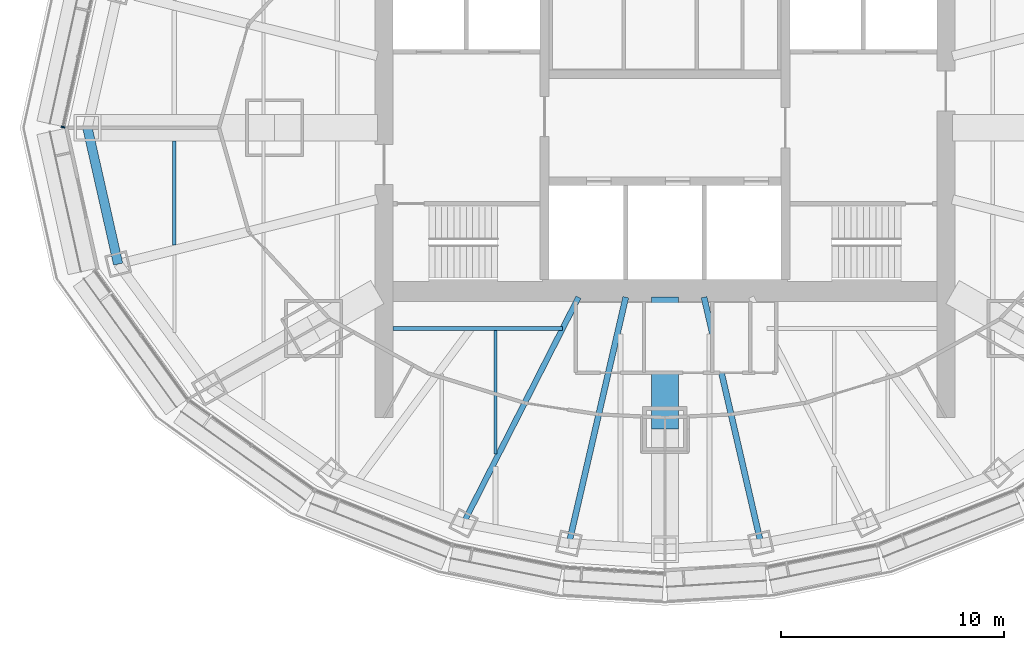
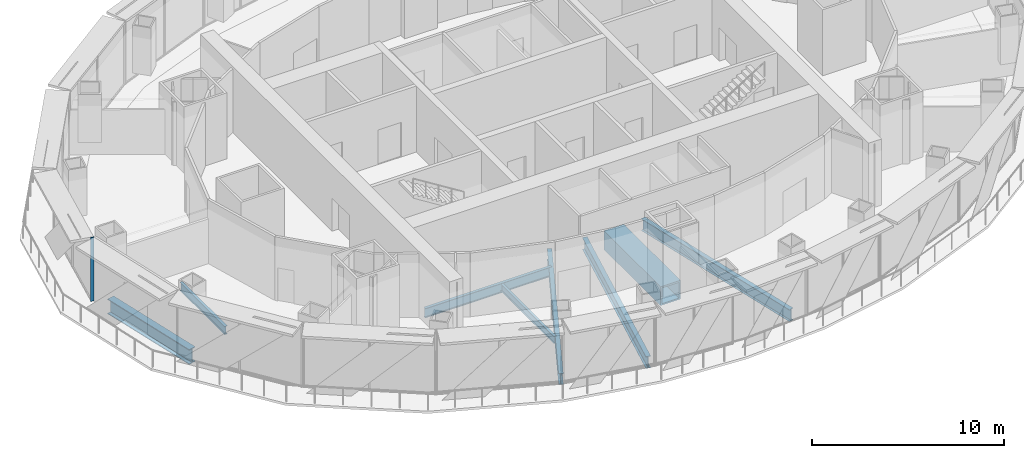
# One storey, part 3 of 17: 8 beams, 1 member, 1 element without a shape of its own.
"""IFC4 building model written with IfcOpenShell, lengths in metres."""

import ifcopenshell
import ifcopenshell.guid

model = None  # the IFC model being written
_history = None  # IfcOwnerHistory: only IFC2X3 demands one
_inside = {}  # id of a spatial element -> (the spatial element, [elements in it])
_under = {}  # id of a project, library or spatial element -> (it, [spatial elements below it])
_declared = {}  # id of a project -> (the project, [libraries it declares])
_typed = {}  # id of a type object -> (the type object, [elements of that type])
_made_of = {}  # id of a material, layer set ... -> (it, [elements and type objects made of it])


def new_model(schema):
    """Start an empty IFC model of exactly this schema.

    Asked for "IFC4X3", IfcOpenShell would pick the latest addendum, in which some entities
    have other attributes; the version numbers below select the first issue.
    IFC2X3 requires an IfcOwnerHistory on every rooted entity: one is made here for all.
    """
    global model, _history
    if schema == "IFC4X3":
        model = ifcopenshell.file(schema_version=(4, 3, 0, 0))
    else:
        model = ifcopenshell.file(schema=schema)
    _inside.clear()
    _under.clear()
    _declared.clear()
    _typed.clear()
    _made_of.clear()
    _history = None
    if model.schema == "IFC2X3":
        org = make("IfcOrganization", Name="unknown")
        user = make(
            "IfcPersonAndOrganization",
            ThePerson=make("IfcPerson", FamilyName="unknown"),
            TheOrganization=org,
        )
        app = make(
            "IfcApplication",
            ApplicationDeveloper=org,
            Version="unknown",
            ApplicationFullName="unknown",
            ApplicationIdentifier="unknown",
        )
        _history = make(
            "IfcOwnerHistory",
            OwningUser=user,
            OwningApplication=app,
            ChangeAction="ADDED",
            CreationDate=0,
        )
    return model


def make(cls, **values):
    """One entity of the class cls with the attributes given. An attribute that is None is left unset."""
    return model.create_entity(
        cls, **{name: value for name, value in values.items() if value is not None}
    )


def rooted(cls, **values):
    """An entity with a GlobalId (a new one), such as an element, a storey or a relation."""
    return make(cls, GlobalId=ifcopenshell.guid.new(), OwnerHistory=_history, **values)


def si_unit(unit_type, name, prefix=None):
    """IfcSIUnit, for example si_unit("LENGTHUNIT", "METRE", prefix="MILLI")."""
    return make("IfcSIUnit", UnitType=unit_type, Prefix=prefix, Name=name)


def assignment(units):
    """IfcUnitAssignment: the units of a project."""
    return None if units is None else make("IfcUnitAssignment", Units=units)


def point(xyz):
    """IfcCartesianPoint."""
    return None if xyz is None else make("IfcCartesianPoint", Coordinates=xyz)


def direction(xyz):
    """IfcDirection."""
    return None if xyz is None else make("IfcDirection", DirectionRatios=xyz)


def frame(location, z_axis=None, x_axis=None):
    """IfcAxis2Placement3D, a coordinate frame: its origin and axes. An axis left out is left unset."""
    return make(
        "IfcAxis2Placement3D",
        Location=point(location),
        Axis=direction(z_axis),
        RefDirection=direction(x_axis),
    )


def frame_2d(location, x_axis=None):
    """IfcAxis2Placement2D, a coordinate frame in the plane: its origin and x axis."""
    return make(
        "IfcAxis2Placement2D", Location=point(location), RefDirection=direction(x_axis)
    )


def origin():
    """The frame at (0, 0, 0) with its axes left unset."""
    return frame((0.0, 0.0, 0.0))


def origin_2d():
    """The frame at (0, 0) in the plane with its x axis left unset."""
    return frame_2d((0.0, 0.0))


def place(relative_to, where):
    """IfcLocalPlacement: puts the frame where relative to a parent placement (None: the world)."""
    return make(
        "IfcLocalPlacement", PlacementRelTo=relative_to, RelativePlacement=where
    )


def context(
    kind, dimensions, precision=None, world=None, true_north=None, identifier=None
):
    """IfcGeometricRepresentationContext, for example the 3D "Model" context."""
    return make(
        "IfcGeometricRepresentationContext",
        ContextIdentifier=identifier,
        ContextType=kind,
        CoordinateSpaceDimension=dimensions,
        Precision=precision,
        WorldCoordinateSystem=world,
        TrueNorth=true_north,
    )


def subcontext(parent, identifier, kind, view, scale=None):
    """IfcGeometricRepresentationSubContext, for example "Body" below "Model"."""
    return make(
        "IfcGeometricRepresentationSubContext",
        ContextIdentifier=identifier,
        ContextType=kind,
        ParentContext=parent,
        TargetScale=scale,
        TargetView=view,
    )


def project(units=None, contexts=None):
    """IfcProject with its units and contexts."""
    return rooted(
        "IfcProject",
        Name="project",
        RepresentationContexts=contexts,
        UnitsInContext=assignment(units),
    )


def spatial(cls, under=None, at=None, **own):
    """A site, building, storey or space (cls), placed at a placement, below another one or the project."""
    s = rooted(cls, ObjectPlacement=at, **own)
    if under is not None:
        _under.setdefault(under.id(), (under, []))[1].append(s)
    return s


def profile(cls, at=None, kind="AREA", **sizes):
    """A parametric profile (cls). Its sizes go by their IFC names, for example OverallWidth=200.0."""
    return make(cls, ProfileType=kind, Position=at, **sizes)


def rectangle(**sizes):
    """IfcRectangleProfileDef."""
    return profile("IfcRectangleProfileDef", **sizes)


def hollow_rectangle(**sizes):
    """IfcRectangleHollowProfileDef."""
    return profile("IfcRectangleHollowProfileDef", **sizes)


def i_section(**sizes):
    """IfcIShapeProfileDef."""
    return profile("IfcIShapeProfileDef", **sizes)


def extrude(swept, where, along, depth):
    """IfcExtrudedAreaSolid: the profile swept, set in the frame where, extruded along a direction by depth."""
    return make(
        "IfcExtrudedAreaSolid",
        SweptArea=swept,
        Position=where,
        ExtrudedDirection=direction(along),
        Depth=depth,
    )


def shape(context_of_items, identifier, shape_type, items):
    """IfcShapeRepresentation: the items that make up one representation, for example the "Body"."""
    return make(
        "IfcShapeRepresentation",
        ContextOfItems=context_of_items,
        RepresentationIdentifier=identifier,
        RepresentationType=shape_type,
        Items=items,
    )


def material(Name=None, Category=None):
    """IfcMaterial."""
    return make("IfcMaterial", Name=Name, Category=Category)


def material_profile(
    of_material, cross_section, Name=None, Category=None, Priority=None
):
    """IfcMaterialProfile: a cross section and its material."""
    return make(
        "IfcMaterialProfile",
        Name=Name,
        Material=of_material,
        Profile=cross_section,
        Priority=Priority,
        Category=Category,
    )


def profile_set(profiles, Name=None, composite=None):
    """IfcMaterialProfileSet."""
    return make(
        "IfcMaterialProfileSet",
        Name=Name,
        MaterialProfiles=profiles,
        CompositeProfile=composite,
    )


def made_of(thing, what):
    """Note that an element or type object is made of a material, layer set ...; save() writes the relation."""
    if what is not None:
        _made_of.setdefault(what.id(), (what, []))[1].append(thing)
    return thing


def type_object(cls, material=None, **own):
    """A type object (cls), such as IfcWallType, which elements share."""
    return made_of(rooted(cls, **own), material)


def element(
    cls,
    number,
    at=None,
    inside=None,
    cuts=None,
    type_object=None,
    material=None,
    context=None,
    identifier="Body",
    shape_type=None,
    held_by="IfcProductDefinitionShape",
    body=None,
    shapes=None,
    **own,
):
    """One element of the class cls, such as IfcWall. Its Tag is "e" and its number.

    at: its placement. inside: the storey or other place that contains it. cuts: it is an
    opening in that element (IfcRelVoidsElement). A single representation is given by context,
    identifier, shape_type and body (its items); several are given by shapes. held_by: the class
    of the entity that holds the representations. save() writes the other relations.
    """
    e = rooted(cls, Tag="e%d" % number, ObjectPlacement=at, **own)
    if body is not None:
        shapes = [shape(context, identifier, shape_type, body)]
    if shapes is not None:
        e.Representation = make(held_by, Representations=shapes)
    if inside is not None:
        _inside.setdefault(inside.id(), (inside, []))[1].append(e)
    if cuts is not None:
        rooted(
            "IfcRelVoidsElement", RelatingBuildingElement=cuts, RelatedOpeningElement=e
        )
    if type_object is not None:
        _typed.setdefault(type_object.id(), (type_object, []))[1].append(e)
    return made_of(e, material)


def aggregate(whole, parts):
    """IfcRelAggregates: a whole, such as a stair, and the parts it consists of."""
    return rooted("IfcRelAggregates", RelatingObject=whole, RelatedObjects=parts)


def save(model, path):
    """Write the relations noted so far, then the file.

    IfcRelAggregates (storeys below a building ...), IfcRelContainedInSpatialStructure (elements
    in a storey), IfcRelDefinesByType, IfcRelAssociatesMaterial and IfcRelDeclares: one each for
    every whole, place, type object, material and project.
    """
    for whole, parts in _under.values():
        aggregate(whole, parts)
    for where, things in _inside.values():
        rooted(
            "IfcRelContainedInSpatialStructure",
            RelatedElements=things,
            RelatingStructure=where,
        )
    for kind, things in _typed.values():
        rooted("IfcRelDefinesByType", RelatedObjects=things, RelatingType=kind)
    for what, things in _made_of.values():
        rooted("IfcRelAssociatesMaterial", RelatedObjects=things, RelatingMaterial=what)
    for by, libraries in _declared.values():
        rooted("IfcRelDeclares", RelatingContext=by, RelatedDefinitions=libraries)
    model.write(path)


model = new_model("IFC4")

# Units and contexts
model_context = context("Model", 3, precision=1e-05, world=origin(), true_north=direction((0.0, 1.0)))
body_context = subcontext(model_context, "Body", "Model", "MODEL_VIEW")
ifc_project = project(units=[si_unit("LENGTHUNIT", "METRE"), si_unit("AREAUNIT", "SQUARE_METRE"), si_unit("VOLUMEUNIT", "CUBIC_METRE"), si_unit("PLANEANGLEUNIT", "RADIAN"), si_unit("MASSUNIT", "GRAM", prefix="KILO")], contexts=[model_context])

# Site, building, storey
site_placement = place(None, origin())
site = spatial("IfcSite", under=ifc_project, at=site_placement, CompositionType="ELEMENT")
building_placement = place(site_placement, origin())
building = spatial("IfcBuilding", under=site, at=building_placement, Name="Lantaw Convention Tower", CompositionType="ELEMENT")
storey_placement = place(building_placement, frame((0.0, 0.0, 199.0)))
storey = spatial("IfcBuildingStorey", under=building, at=storey_placement, Name="L46", CompositionType="ELEMENT", Elevation=199.0)

# Beams
ifc_material_1 = material(Name="Steel ASTM A992", Category="steel")
ifc_material_profile_1 = material_profile(ifc_material_1, i_section(OverallWidth=0.424072265625, OverallDepth=0.947509765625, WebThickness=0.02392578125, FlangeThickness=0.042724609375, FilletRadius=0.012451171875, at=origin_2d()), Name="W36X302")
ifc_profile_set_1 = profile_set([ifc_material_profile_1], Name="Steel ASTM A992")
beam_type_1 = type_object("IfcBeamType", Name="Beam BC W36X302", PredefinedType="SPANDREL", material=ifc_profile_set_1)
beam_1_placement = place(storey_placement, frame((-25.89990234375, 0.0, -0.623779296875), z_axis=(0.219857926596, -0.97553190215, 0.0), x_axis=(0.97553190215, 0.219857926596, 0.0)))
element("IfcBeam", 1, at=beam_1_placement, inside=storey, type_object=beam_type_1, Name="Belt truss chord 13", PredefinedType="SPANDREL", context=body_context, shape_type="SweptSolid", body=[
    extrude(i_section(OverallWidth=0.424072265625, OverallDepth=0.947509765625, WebThickness=0.02392578125, FlangeThickness=0.042724609375, FilletRadius=0.012451171875, at=origin_2d()), origin(), (0.0, 0.0, 1.0), 6.267333984375),
])
ifc_material_profile_2 = material_profile(ifc_material_1, i_section(OverallWidth=0.177978515625, OverallDepth=0.599365234375, WebThickness=0.010009765625, FlangeThickness=0.012939453125, FilletRadius=0.012939453125, at=origin_2d()), Name="W24X55")
ifc_profile_set_2 = profile_set([ifc_material_profile_2], Name="Steel ASTM A992")
beam_type_2 = type_object("IfcBeamType", Name="Beam CC W24X55", PredefinedType="BEAM", material=ifc_profile_set_2)
beam_2_placement = place(storey_placement, frame((-12.199951171875, -9.0, -0.44970703125), z_axis=(1.0, 0.0, 0.0), x_axis=(0.0, 1.0, 0.0)))
element("IfcBeam", 2, at=beam_2_placement, inside=storey, type_object=beam_type_2, Name="Core collector beam on ray 16", PredefinedType="BEAM", context=body_context, shape_type="SweptSolid", body=[
    extrude(i_section(OverallWidth=0.177978515625, OverallDepth=0.599365234375, WebThickness=0.010009765625, FlangeThickness=0.012939453125, FilletRadius=0.012939453125, at=origin_2d()), origin(), (0.0, 0.0, 1.0), 7.6142578125),
])
ifc_material_profile_3 = material_profile(ifc_material_1, i_section(OverallWidth=0.25390625, OverallDepth=0.683349609375, WebThickness=0.012451171875, FlangeThickness=0.01904296875, FilletRadius=0.01513671875, at=origin_2d()), Name="W27X94")
ifc_profile_set_3 = profile_set([ifc_material_profile_3], Name="Steel ASTM A992")
beam_type_3 = type_object("IfcBeamType", Name="Beam G W27X94", PredefinedType="BEAM", material=ifc_profile_set_3)
beam_3_placement = place(storey_placement, frame((-3.872314453125, -7.60009765625, -0.49169921875), z_axis=(-0.454002651457, -0.891000332475, 0.0), x_axis=(0.891000332475, -0.454002651457, 0.0)))
element("IfcBeam", 3, at=beam_3_placement, inside=storey, type_object=beam_type_3, Name="Floor girder on ray 17", PredefinedType="BEAM", context=body_context, shape_type="SweptSolid", body=[
    extrude(i_section(OverallWidth=0.25390625, OverallDepth=0.683349609375, WebThickness=0.012451171875, FlangeThickness=0.01904296875, FilletRadius=0.01513671875, at=origin_2d()), origin(), (0.0, 0.0, 1.0), 11.370849609375),
])
ifc_material_profile_4 = material_profile(ifc_material_1, i_section(OverallWidth=0.2666015625, OverallDepth=0.7568359375, WebThickness=0.013916015625, FlangeThickness=0.019287109375, FilletRadius=0.0126953125, at=origin_2d()), Name="W30X108")
ifc_profile_set_4 = profile_set([ifc_material_profile_4], Name="Steel ASTM A992")
beam_type_4 = type_object("IfcBeamType", Name="Beam G W30X108", PredefinedType="BEAM", material=ifc_profile_set_4)
for number, where, z_axis, x_axis, name in (
    (4, (-1.754638671875, -7.60009765625, -0.528564453125), (-0.224957056402, -0.974368679081, 0.0), (0.974368679081, -0.224957056402, 0.0), "Floor girder on ray 18"),
    (5, (1.754638671875, -7.60009765625, -0.528564453125), (0.224957056402, -0.974368679081, 0.0), (0.974368679081, 0.224957056402, 0.0), "Floor girder on ray 20"),
):
    element("IfcBeam", number, at=place(storey_placement, frame(where, z_axis=z_axis, x_axis=x_axis)), inside=storey, type_object=beam_type_4, Name=name, PredefinedType="BEAM", context=body_context, shape_type="SweptSolid", body=[
        extrude(i_section(OverallWidth=0.2666015625, OverallDepth=0.7568359375, WebThickness=0.013916015625, FlangeThickness=0.019287109375, FilletRadius=0.0126953125, at=origin_2d()), origin(), (0.0, 0.0, 1.0), 11.33251953125),
    ])
ifc_material_profile_5 = material_profile(ifc_material_1, i_section(OverallWidth=0.15234375, OverallDepth=0.449462890625, WebThickness=0.007568359375, FlangeThickness=0.0107421875, FilletRadius=0.01025390625, at=origin_2d()), Name="W18X35")
ifc_profile_set_5 = profile_set([ifc_material_profile_5], Name="Steel ASTM A992")
beam_type_5 = type_object("IfcBeamType", Name="Beam J W18X35", PredefinedType="JOIST", material=ifc_profile_set_5)
beam_4_placement = place(storey_placement, frame((-7.60009765625, -14.635986328125, -0.374755859375), z_axis=(0.0, 1.0, 0.0), x_axis=(-1.0, 0.0, 0.0)))
element("IfcBeam", 6, at=beam_4_placement, inside=storey, type_object=beam_type_5, Name="Floor joist", PredefinedType="JOIST", context=body_context, shape_type="SweptSolid", body=[
    extrude(i_section(OverallWidth=0.15234375, OverallDepth=0.449462890625, WebThickness=0.007568359375, FlangeThickness=0.0107421875, FilletRadius=0.01025390625, at=origin_2d()), origin(), (0.0, 0.0, 1.0), 5.546875),
])
ifc_material_profile_6 = material_profile(ifc_material_1, i_section(OverallWidth=0.1650390625, OverallDepth=0.52587890625, WebThickness=0.0087890625, FlangeThickness=0.011474609375, FilletRadius=0.0126953125, at=origin_2d()), Name="W21X44")
ifc_profile_set_6 = profile_set([ifc_material_profile_6], Name="Steel ASTM A992")
beam_type_6 = type_object("IfcBeamType", Name="Beam J W21X44", PredefinedType="JOIST", material=ifc_profile_set_6)
beam_5_placement = place(storey_placement, frame((-22.0, -5.267822265625, -0.412841796875), z_axis=(0.0, 1.0, 0.0), x_axis=(-1.0, 0.0, 0.0)))
element("IfcBeam", 7, at=beam_5_placement, inside=storey, type_object=beam_type_6, Name="Floor joist", PredefinedType="JOIST", context=body_context, shape_type="SweptSolid", body=[
    extrude(i_section(OverallWidth=0.1650390625, OverallDepth=0.52587890625, WebThickness=0.0087890625, FlangeThickness=0.011474609375, FilletRadius=0.0126953125, at=origin_2d()), origin(), (0.0, 0.0, 1.0), 4.667724609375),
])
ifc_material_2 = material(Name="Steel EN 10025-3 S460N", Category="steel")
ifc_material_profile_7 = material_profile(ifc_material_2, hollow_rectangle(XDim=1.199951171875, YDim=1.199951171875, WallThickness=0.10009765625, at=origin_2d()), Name="BOX1200X100")
ifc_profile_set_7 = profile_set([ifc_material_profile_7], Name="Steel EN 10025-3 S460N")
beam_type_7 = type_object("IfcBeamType", Name="Beam OC BOX1200X100", PredefinedType="BEAM", material=ifc_profile_set_7)
beam_6_placement = place(storey_placement, frame((0.0, -7.60009765625, -0.75), z_axis=(0.0, -1.0, 0.0), x_axis=(1.0, 0.0, 0.0)))
element("IfcBeam", 8, at=beam_6_placement, inside=storey, type_object=beam_type_7, Name="Outrigger chord on ray 19", PredefinedType="BEAM", context=body_context, shape_type="SweptSolid", body=[
    extrude(hollow_rectangle(XDim=1.199951171875, YDim=1.199951171875, WallThickness=0.10009765625, at=origin_2d()), origin(), (0.0, 0.0, 1.0), 5.89990234375),
])

# Curtain wall, member
ifc_material_3 = material(Name="Aluminium framed curtain wall", Category="aluminium")
curtain_wall_type = type_object("IfcCurtainWallType", Name="Office curtain wall high rise, pale aluminium", PredefinedType="USERDEFINED", material=ifc_material_3)
curtain_wall_placement = place(storey_placement, origin())
curtain_wall = element("IfcCurtainWall", 9, at=curtain_wall_placement, inside=storey, type_object=curtain_wall_type, Name="Office curtain wall high rise, pale aluminium L46", ObjectType="UNITISED CURTAIN WALL", PredefinedType="USERDEFINED")
ifc_material_4 = material(Name="Aluminium 6063-T6", Category="aluminium")
ifc_material_profile_8 = material_profile(ifc_material_4, rectangle(XDim=0.179931640625, YDim=0.06494140625, at=origin_2d()), Name="CW-O2 mullion 65x180")
ifc_profile_set_8 = profile_set([ifc_material_profile_8], Name="Aluminium 6063-T6")
member_type = type_object("IfcMemberType", Name="CW-O2 mullion 65x180", PredefinedType="MULLION", material=ifc_profile_set_8)
member_placement = place(storey_placement, frame((-26.992919921875, 0.03173828125, 0.0), z_axis=(0.0, 0.0, 1.0), x_axis=(0.976417396437, -0.215891333626, 0.0)))
member = element("IfcMember", 10, at=member_placement, type_object=member_type, Name="CW-O2 mullion 3", PredefinedType="MULLION", context=body_context, shape_type="SweptSolid", body=[
    extrude(rectangle(XDim=0.179931640625, YDim=0.06494140625, at=origin_2d()), origin(), (0.0, 0.0, 1.0), 4.050048828125),
])
aggregate(curtain_wall, [member])

save(model, "model.ifc")
